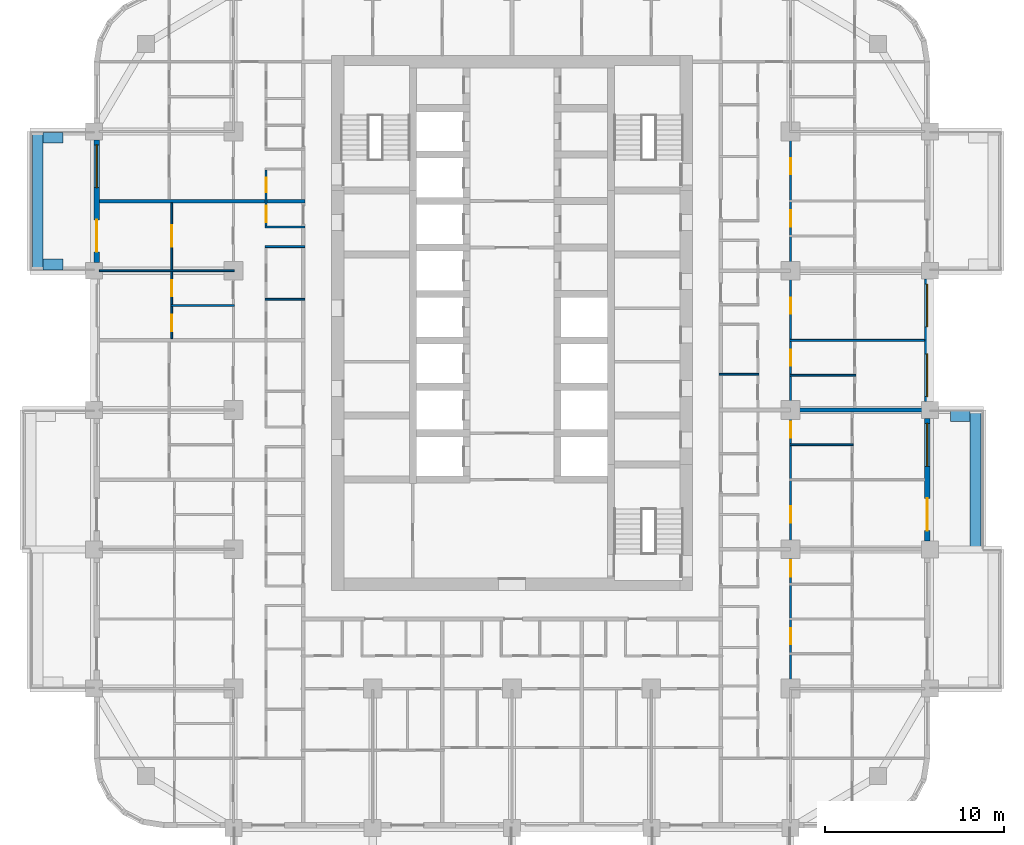
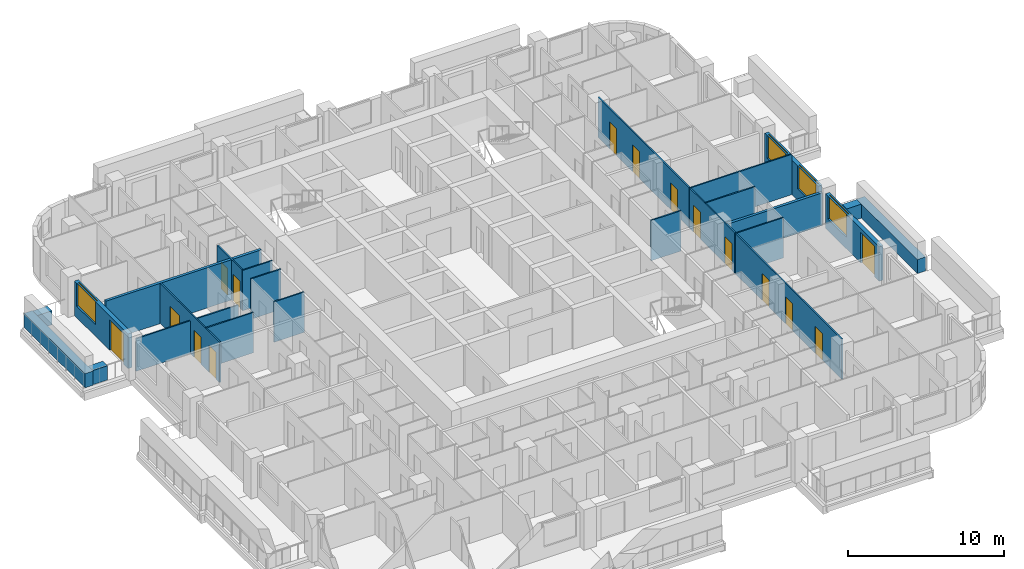
# One storey, part 9 of 18: 22 walls, 15 doors, 4 windows, 19 openings.
"""IFC4 building model written with IfcOpenShell, lengths in metres."""

import ifcopenshell
import ifcopenshell.guid

model = None  # the IFC model being written
_history = None  # IfcOwnerHistory: only IFC2X3 demands one
_inside = {}  # id of a spatial element -> (the spatial element, [elements in it])
_under = {}  # id of a project, library or spatial element -> (it, [spatial elements below it])
_declared = {}  # id of a project -> (the project, [libraries it declares])
_typed = {}  # id of a type object -> (the type object, [elements of that type])
_made_of = {}  # id of a material, layer set ... -> (it, [elements and type objects made of it])


def new_model(schema):
    """Start an empty IFC model of exactly this schema.

    Asked for "IFC4X3", IfcOpenShell would pick the latest addendum, in which some entities
    have other attributes; the version numbers below select the first issue.
    IFC2X3 requires an IfcOwnerHistory on every rooted entity: one is made here for all.
    """
    global model, _history
    if schema == "IFC4X3":
        model = ifcopenshell.file(schema_version=(4, 3, 0, 0))
    else:
        model = ifcopenshell.file(schema=schema)
    _inside.clear()
    _under.clear()
    _declared.clear()
    _typed.clear()
    _made_of.clear()
    _history = None
    if model.schema == "IFC2X3":
        org = make("IfcOrganization", Name="unknown")
        user = make(
            "IfcPersonAndOrganization",
            ThePerson=make("IfcPerson", FamilyName="unknown"),
            TheOrganization=org,
        )
        app = make(
            "IfcApplication",
            ApplicationDeveloper=org,
            Version="unknown",
            ApplicationFullName="unknown",
            ApplicationIdentifier="unknown",
        )
        _history = make(
            "IfcOwnerHistory",
            OwningUser=user,
            OwningApplication=app,
            ChangeAction="ADDED",
            CreationDate=0,
        )
    return model


def make(cls, **values):
    """One entity of the class cls with the attributes given. An attribute that is None is left unset."""
    return model.create_entity(
        cls, **{name: value for name, value in values.items() if value is not None}
    )


def rooted(cls, **values):
    """An entity with a GlobalId (a new one), such as an element, a storey or a relation."""
    return make(cls, GlobalId=ifcopenshell.guid.new(), OwnerHistory=_history, **values)


def si_unit(unit_type, name, prefix=None):
    """IfcSIUnit, for example si_unit("LENGTHUNIT", "METRE", prefix="MILLI")."""
    return make("IfcSIUnit", UnitType=unit_type, Prefix=prefix, Name=name)


def assignment(units):
    """IfcUnitAssignment: the units of a project."""
    return None if units is None else make("IfcUnitAssignment", Units=units)


def point(xyz):
    """IfcCartesianPoint."""
    return None if xyz is None else make("IfcCartesianPoint", Coordinates=xyz)


def direction(xyz):
    """IfcDirection."""
    return None if xyz is None else make("IfcDirection", DirectionRatios=xyz)


def frame(location, z_axis=None, x_axis=None):
    """IfcAxis2Placement3D, a coordinate frame: its origin and axes. An axis left out is left unset."""
    return make(
        "IfcAxis2Placement3D",
        Location=point(location),
        Axis=direction(z_axis),
        RefDirection=direction(x_axis),
    )


def frame_2d(location, x_axis=None):
    """IfcAxis2Placement2D, a coordinate frame in the plane: its origin and x axis."""
    return make(
        "IfcAxis2Placement2D", Location=point(location), RefDirection=direction(x_axis)
    )


def origin():
    """The frame at (0, 0, 0) with its axes left unset."""
    return frame((0.0, 0.0, 0.0))


def place(relative_to, where):
    """IfcLocalPlacement: puts the frame where relative to a parent placement (None: the world)."""
    return make(
        "IfcLocalPlacement", PlacementRelTo=relative_to, RelativePlacement=where
    )


def context(
    kind, dimensions, precision=None, world=None, true_north=None, identifier=None
):
    """IfcGeometricRepresentationContext, for example the 3D "Model" context."""
    return make(
        "IfcGeometricRepresentationContext",
        ContextIdentifier=identifier,
        ContextType=kind,
        CoordinateSpaceDimension=dimensions,
        Precision=precision,
        WorldCoordinateSystem=world,
        TrueNorth=true_north,
    )


def subcontext(parent, identifier, kind, view, scale=None):
    """IfcGeometricRepresentationSubContext, for example "Body" below "Model"."""
    return make(
        "IfcGeometricRepresentationSubContext",
        ContextIdentifier=identifier,
        ContextType=kind,
        ParentContext=parent,
        TargetScale=scale,
        TargetView=view,
    )


def project(units=None, contexts=None):
    """IfcProject with its units and contexts."""
    return rooted(
        "IfcProject",
        Name="project",
        RepresentationContexts=contexts,
        UnitsInContext=assignment(units),
    )


def spatial(cls, under=None, at=None, **own):
    """A site, building, storey or space (cls), placed at a placement, below another one or the project."""
    s = rooted(cls, ObjectPlacement=at, **own)
    if under is not None:
        _under.setdefault(under.id(), (under, []))[1].append(s)
    return s


def profile(cls, at=None, kind="AREA", **sizes):
    """A parametric profile (cls). Its sizes go by their IFC names, for example OverallWidth=200.0."""
    return make(cls, ProfileType=kind, Position=at, **sizes)


def rectangle(**sizes):
    """IfcRectangleProfileDef."""
    return profile("IfcRectangleProfileDef", **sizes)


def extrude(swept, where, along, depth):
    """IfcExtrudedAreaSolid: the profile swept, set in the frame where, extruded along a direction by depth."""
    return make(
        "IfcExtrudedAreaSolid",
        SweptArea=swept,
        Position=where,
        ExtrudedDirection=direction(along),
        Depth=depth,
    )


def shape(context_of_items, identifier, shape_type, items):
    """IfcShapeRepresentation: the items that make up one representation, for example the "Body"."""
    return make(
        "IfcShapeRepresentation",
        ContextOfItems=context_of_items,
        RepresentationIdentifier=identifier,
        RepresentationType=shape_type,
        Items=items,
    )


def material(Name=None, Category=None):
    """IfcMaterial."""
    return make("IfcMaterial", Name=Name, Category=Category)


def layer(
    of_material, thickness, ventilated=None, Name=None, Category=None, Priority=None
):
    """IfcMaterialLayer: one layer of a wall or slab, of a material (None: an air gap)."""
    return make(
        "IfcMaterialLayer",
        Material=of_material,
        LayerThickness=thickness,
        IsVentilated=ventilated,
        Name=Name,
        Category=Category,
        Priority=Priority,
    )


def layer_set(layers, Name=None):
    """IfcMaterialLayerSet."""
    return make("IfcMaterialLayerSet", MaterialLayers=layers, LayerSetName=Name)


def made_of(thing, what):
    """Note that an element or type object is made of a material, layer set ...; save() writes the relation."""
    if what is not None:
        _made_of.setdefault(what.id(), (what, []))[1].append(thing)
    return thing


def type_object(cls, material=None, **own):
    """A type object (cls), such as IfcWallType, which elements share."""
    return made_of(rooted(cls, **own), material)


def element(
    cls,
    number,
    at=None,
    inside=None,
    cuts=None,
    type_object=None,
    material=None,
    context=None,
    identifier="Body",
    shape_type=None,
    held_by="IfcProductDefinitionShape",
    body=None,
    shapes=None,
    **own,
):
    """One element of the class cls, such as IfcWall. Its Tag is "e" and its number.

    at: its placement. inside: the storey or other place that contains it. cuts: it is an
    opening in that element (IfcRelVoidsElement). A single representation is given by context,
    identifier, shape_type and body (its items); several are given by shapes. held_by: the class
    of the entity that holds the representations. save() writes the other relations.
    """
    e = rooted(cls, Tag="e%d" % number, ObjectPlacement=at, **own)
    if body is not None:
        shapes = [shape(context, identifier, shape_type, body)]
    if shapes is not None:
        e.Representation = make(held_by, Representations=shapes)
    if inside is not None:
        _inside.setdefault(inside.id(), (inside, []))[1].append(e)
    if cuts is not None:
        rooted(
            "IfcRelVoidsElement", RelatingBuildingElement=cuts, RelatedOpeningElement=e
        )
    if type_object is not None:
        _typed.setdefault(type_object.id(), (type_object, []))[1].append(e)
    return made_of(e, material)


def fill(opening, filler):
    """IfcRelFillsElement: the door or window that sits in an opening."""
    return rooted(
        "IfcRelFillsElement",
        RelatingOpeningElement=opening,
        RelatedBuildingElement=filler,
    )


def aggregate(whole, parts):
    """IfcRelAggregates: a whole, such as a stair, and the parts it consists of."""
    return rooted("IfcRelAggregates", RelatingObject=whole, RelatedObjects=parts)


def save(model, path):
    """Write the relations noted so far, then the file.

    IfcRelAggregates (storeys below a building ...), IfcRelContainedInSpatialStructure (elements
    in a storey), IfcRelDefinesByType, IfcRelAssociatesMaterial and IfcRelDeclares: one each for
    every whole, place, type object, material and project.
    """
    for whole, parts in _under.values():
        aggregate(whole, parts)
    for where, things in _inside.values():
        rooted(
            "IfcRelContainedInSpatialStructure",
            RelatedElements=things,
            RelatingStructure=where,
        )
    for kind, things in _typed.values():
        rooted("IfcRelDefinesByType", RelatedObjects=things, RelatingType=kind)
    for what, things in _made_of.values():
        rooted("IfcRelAssociatesMaterial", RelatedObjects=things, RelatingMaterial=what)
    for by, libraries in _declared.values():
        rooted("IfcRelDeclares", RelatingContext=by, RelatedDefinitions=libraries)
    model.write(path)


model = new_model("IFC4")

# Units and contexts
model_context = context("Model", 3, precision=1e-05, world=origin(), true_north=direction((0.0, 1.0)))
body_context = subcontext(model_context, "Body", "Model", "MODEL_VIEW")
ifc_project = project(units=[si_unit("LENGTHUNIT", "METRE"), si_unit("AREAUNIT", "SQUARE_METRE"), si_unit("VOLUMEUNIT", "CUBIC_METRE"), si_unit("PLANEANGLEUNIT", "RADIAN"), si_unit("MASSUNIT", "GRAM", prefix="KILO")], contexts=[model_context])

# Site, building, storey
site_placement = place(None, origin())
site = spatial("IfcSite", under=ifc_project, at=site_placement, CompositionType="ELEMENT")
building_placement = place(site_placement, origin())
building = spatial("IfcBuilding", under=site, at=building_placement, Name="Ludao Terraces", CompositionType="ELEMENT")
storey_placement = place(building_placement, frame((0.0, 0.0, 64.800048828125)))
storey = spatial("IfcBuildingStorey", under=building, at=storey_placement, Name="L17", CompositionType="ELEMENT", Elevation=64.800048828125)

# Walls
ifc_material_1 = material(Name="Concrete C40", Category="concrete")
ifc_layer_1 = layer(ifc_material_1, 0.60009765625)
ifc_layer_set_1 = layer_set([ifc_layer_1], Name="ENV Planter trough 600")
wall_type_1 = type_object("IfcWallType", Name="ENV Planter trough 600", PredefinedType="USERDEFINED", material=ifc_layer_set_1)
wall_1_placement = place(storey_placement, frame((110.949951171875, 57.199951171875, 0.0), z_axis=(0.0, 0.0, 1.0), x_axis=(0.0, 1.0, 0.0)))
element("IfcWall", 1, at=wall_1_placement, inside=storey, type_object=wall_type_1, Name="PL-L17-E2", ObjectType="PLANTER", PredefinedType="USERDEFINED", context=body_context, shape_type="SweptSolid", body=[
    extrude(rectangle(XDim=7.800048828125, YDim=0.60009765625, at=frame_2d((3.89990234375, 0.0))), origin(), (0.0, 0.0, 1.0), 1.099853515625),
])
wall_2_placement = place(storey_placement, frame((110.64990234375, 64.64990234375, 0.0), z_axis=(0.0, 0.0, 1.0), x_axis=(-1.0, 0.0, 0.0)))
element("IfcWall", 2, at=wall_2_placement, inside=storey, type_object=wall_type_1, Name="PL-L17-E2-SB", ObjectType="PLANTER", PredefinedType="USERDEFINED", context=body_context, shape_type="SweptSolid", body=[
    extrude(rectangle(XDim=1.099853515625, YDim=0.60009765625, at=frame_2d((0.5498046875, 0.0))), origin(), (0.0, 0.0, 1.0), 1.099853515625),
])
wall_3_placement = place(storey_placement, frame((58.449951171875, 72.800048828125, 0.0), z_axis=(0.0, 0.0, 1.0), x_axis=(0.0, 1.0, 0.0)))
element("IfcWall", 3, at=wall_3_placement, inside=storey, type_object=wall_type_1, Name="PL-L17-W4", ObjectType="PLANTER", PredefinedType="USERDEFINED", context=body_context, shape_type="SweptSolid", body=[
    extrude(rectangle(XDim=7.800048828125, YDim=0.60009765625, at=frame_2d((3.89990234375, 0.0))), origin(), (0.0, 0.0, 1.0), 1.099853515625),
])
for number, where, z_axis, x_axis, name in (
    (4, (58.75, 73.14990234375, 0.0), (0.0, 0.0, 1.0), (1.0, 0.0, 0.0), "PL-L17-W4-SA"),
    (5, (58.75, 80.25, 0.0), (0.0, 0.0, 1.0), (1.0, 0.0, 0.0), "PL-L17-W4-SB"),
):
    element("IfcWall", number, at=place(storey_placement, frame(where, z_axis=z_axis, x_axis=x_axis)), inside=storey, type_object=wall_type_1, Name=name, ObjectType="PLANTER", PredefinedType="USERDEFINED", context=body_context, shape_type="SweptSolid", body=[
        extrude(rectangle(XDim=1.10009765625, YDim=0.60009765625, at=frame_2d((0.550048828125, 0.0))), origin(), (0.0, 0.0, 1.0), 1.099853515625),
    ])

# Wall, openings, door, window
ifc_material_2 = material(Name="Granite cladding", Category="masonry")
ifc_layer_2 = layer(ifc_material_2, 0.0400390625, Category="stone")
ifc_material_3 = material(Name="Mineral wool")
ifc_layer_3 = layer(ifc_material_3, 0.06005859375)
ifc_layer_4 = layer(ifc_material_1, 0.199951171875, Category="concrete")
ifc_layer_set_2 = layer_set([ifc_layer_2, ifc_layer_3, ifc_layer_4], Name="ENV Stone-clad wall 300")
wall_type_2 = type_object("IfcWallType", Name="ENV Stone-clad wall 300", PredefinedType="SOLIDWALL", material=ifc_layer_set_2)
wall_4_placement = place(storey_placement, frame((108.25, 57.675048828125, 0.0), z_axis=(0.0, 0.0, 1.0), x_axis=(0.0, 1.0, 0.0)))
wall_4 = element("IfcWall", 6, at=wall_4_placement, inside=storey, type_object=wall_type_2, Name="EW-L17-E3", PredefinedType="SOLIDWALL", context=body_context, shape_type="SweptSolid", body=[
    extrude(rectangle(XDim=6.849853515625, YDim=0.300048828125, at=frame_2d((3.4248046875, 0.0))), origin(), (0.0, 0.0, 1.0), 2.699951171875),
])
opening_1_placement = place(wall_4_placement, frame((0.574951171875, 0.0, 0.0)))
opening_1 = element("IfcOpeningElement", 7, at=opening_1_placement, cuts=wall_4, Name="Opening BD", PredefinedType="OPENING", context=body_context, shape_type="SweptSolid", body=[
    extrude(rectangle(XDim=1.800048828125, YDim=2.39990234375, at=frame_2d((0.89990234375, 1.199951171875))), frame((0.0, 0.16015625, 0.0), z_axis=(0.0, -1.0, 0.0), x_axis=(1.0, 0.0, 0.0)), (0.0, 0.0, 1.0), 0.320068359375),
])
opening_2_placement = place(wall_4_placement, frame((4.175048828125, 0.0, 0.89990234375)))
opening_2 = element("IfcOpeningElement", 8, at=opening_2_placement, cuts=wall_4, Name="Opening W1", PredefinedType="OPENING", context=body_context, shape_type="SweptSolid", body=[
    extrude(rectangle(XDim=2.39990234375, YDim=1.800048828125, at=frame_2d((1.199951171875, 0.89990234375))), frame((0.0, 0.16015625, 0.0), z_axis=(0.0, -1.0, 0.0), x_axis=(1.0, 0.0, 0.0)), (0.0, 0.0, 1.0), 0.320068359375),
])
ifc_material_4 = material(Name="Aluminium glazed door", Category="aluminium")
ifc_layer_5 = layer(ifc_material_4, 0.06005859375)
ifc_layer_set_3 = layer_set([ifc_layer_5], Name="ENV Balcony door BD 1800x2400")
door_type_1 = type_object("IfcDoorType", Name="ENV Balcony door BD 1800x2400", OperationType="DOUBLE_DOOR_SINGLE_SWING", PredefinedType="DOOR", material=ifc_layer_set_3)
door_1_placement = place(opening_1_placement, origin())
door_1 = element("IfcDoor", 9, at=door_1_placement, inside=storey, type_object=door_type_1, Name="BD-L17-E3-1", OperationType="DOUBLE_DOOR_SINGLE_SWING", OverallHeight=2.39990234375, OverallWidth=1.800048828125, PredefinedType="DOOR", context=body_context, shape_type="SweptSolid", body=[
    extrude(rectangle(XDim=1.800048828125, YDim=2.39990234375, at=frame_2d((0.89990234375, 1.199951171875))), frame((0.0, 0.02490234375, 0.0), z_axis=(0.0, -1.0, 0.0), x_axis=(1.0, 0.0, 0.0)), (0.0, 0.0, 1.0), 0.050048828125),
])
fill(opening_1, door_1)
ifc_material_5 = material(Name="Clear glass in aluminium frame", Category="aluminium")
ifc_layer_6 = layer(ifc_material_5, 0.06005859375)
ifc_layer_set_4 = layer_set([ifc_layer_6], Name="ENV Window W1 2400x1800")
window_type = type_object("IfcWindowType", Name="ENV Window W1 2400x1800", PartitioningType="DOUBLE_PANEL_VERTICAL", PredefinedType="WINDOW", material=ifc_layer_set_4)
window_1_placement = place(opening_2_placement, origin())
window_1 = element("IfcWindow", 10, at=window_1_placement, inside=storey, type_object=window_type, Name="W-L17-E3-2", OverallHeight=1.800048828125, OverallWidth=2.39990234375, PartitioningType="DOUBLE_PANEL_VERTICAL", PredefinedType="WINDOW", context=body_context, shape_type="SweptSolid", body=[
    extrude(rectangle(XDim=2.39990234375, YDim=1.800048828125, at=frame_2d((1.199951171875, 0.89990234375))), frame((0.0, 0.030029296875, 0.0), z_axis=(0.0, -1.0, 0.0), x_axis=(1.0, 0.0, 0.0)), (0.0, 0.0, 1.0), 0.06005859375),
])
fill(opening_2, window_1)

# Wall, openings, windows
wall_5_placement = place(storey_placement, frame((108.25, 65.47509765625, 0.0), z_axis=(0.0, 0.0, 1.0), x_axis=(0.0, 1.0, 0.0)))
wall_5 = element("IfcWall", 11, at=wall_5_placement, inside=storey, type_object=wall_type_2, Name="EW-L17-E4", PredefinedType="SOLIDWALL", context=body_context, shape_type="SweptSolid", body=[
    extrude(rectangle(XDim=6.849853515625, YDim=0.300048828125, at=frame_2d((3.4248046875, 0.0))), origin(), (0.0, 0.0, 1.0), 2.699951171875),
])
opening_3_placement = place(wall_5_placement, frame((0.27490234375, 0.0, 0.89990234375)))
opening_3 = element("IfcOpeningElement", 12, at=opening_3_placement, cuts=wall_5, Name="Opening W1", PredefinedType="OPENING", context=body_context, shape_type="SweptSolid", body=[
    extrude(rectangle(XDim=2.39990234375, YDim=1.800048828125, at=frame_2d((1.199951171875, 0.89990234375))), frame((0.0, 0.16015625, 0.0), z_axis=(0.0, -1.0, 0.0), x_axis=(1.0, 0.0, 0.0)), (0.0, 0.0, 1.0), 0.320068359375),
])
opening_4_placement = place(wall_5_placement, frame((4.175048828125, 0.0, 0.89990234375)))
opening_4 = element("IfcOpeningElement", 13, at=opening_4_placement, cuts=wall_5, Name="Opening W1", PredefinedType="OPENING", context=body_context, shape_type="SweptSolid", body=[
    extrude(rectangle(XDim=2.39990234375, YDim=1.800048828125, at=frame_2d((1.199951171875, 0.89990234375))), frame((0.0, 0.16015625, 0.0), z_axis=(0.0, -1.0, 0.0), x_axis=(1.0, 0.0, 0.0)), (0.0, 0.0, 1.0), 0.320068359375),
])
window_2_placement = place(opening_3_placement, origin())
window_2 = element("IfcWindow", 14, at=window_2_placement, inside=storey, type_object=window_type, Name="W-L17-E4-1", OverallHeight=1.800048828125, OverallWidth=2.39990234375, PartitioningType="DOUBLE_PANEL_VERTICAL", PredefinedType="WINDOW", context=body_context, shape_type="SweptSolid", body=[
    extrude(rectangle(XDim=2.39990234375, YDim=1.800048828125, at=frame_2d((1.199951171875, 0.89990234375))), frame((0.0, 0.030029296875, 0.0), z_axis=(0.0, -1.0, 0.0), x_axis=(1.0, 0.0, 0.0)), (0.0, 0.0, 1.0), 0.06005859375),
])
fill(opening_3, window_2)
window_3_placement = place(opening_4_placement, origin())
window_3 = element("IfcWindow", 15, at=window_3_placement, inside=storey, type_object=window_type, Name="W-L17-E4-2", OverallHeight=1.800048828125, OverallWidth=2.39990234375, PartitioningType="DOUBLE_PANEL_VERTICAL", PredefinedType="WINDOW", context=body_context, shape_type="SweptSolid", body=[
    extrude(rectangle(XDim=2.39990234375, YDim=1.800048828125, at=frame_2d((1.199951171875, 0.89990234375))), frame((0.0, 0.030029296875, 0.0), z_axis=(0.0, -1.0, 0.0), x_axis=(1.0, 0.0, 0.0)), (0.0, 0.0, 1.0), 0.06005859375),
])
fill(opening_4, window_3)

# Wall, openings, door, window
wall_6_placement = place(storey_placement, frame((61.75, 73.27490234375, 0.0), z_axis=(0.0, 0.0, 1.0), x_axis=(0.0, 1.0, 0.0)))
wall_6 = element("IfcWall", 16, at=wall_6_placement, inside=storey, type_object=wall_type_2, Name="EW-L17-W5", PredefinedType="SOLIDWALL", context=body_context, shape_type="SweptSolid", body=[
    extrude(rectangle(XDim=6.85009765625, YDim=0.300048828125, at=frame_2d((3.425048828125, 0.0))), origin(), (0.0, 0.0, 1.0), 2.699951171875),
])
opening_5_placement = place(wall_6_placement, frame((0.574951171875, 0.0, 0.0)))
opening_5 = element("IfcOpeningElement", 17, at=opening_5_placement, cuts=wall_6, Name="Opening BD", PredefinedType="OPENING", context=body_context, shape_type="SweptSolid", body=[
    extrude(rectangle(XDim=1.800048828125, YDim=2.39990234375, at=frame_2d((0.89990234375, 1.199951171875))), frame((0.0, 0.16015625, 0.0), z_axis=(0.0, -1.0, 0.0), x_axis=(1.0, 0.0, 0.0)), (0.0, 0.0, 1.0), 0.320068359375),
])
opening_6_placement = place(wall_6_placement, frame((4.175048828125, 0.0, 0.89990234375)))
opening_6 = element("IfcOpeningElement", 18, at=opening_6_placement, cuts=wall_6, Name="Opening W1", PredefinedType="OPENING", context=body_context, shape_type="SweptSolid", body=[
    extrude(rectangle(XDim=2.39990234375, YDim=1.800048828125, at=frame_2d((1.199951171875, 0.89990234375))), frame((0.0, 0.16015625, 0.0), z_axis=(0.0, -1.0, 0.0), x_axis=(1.0, 0.0, 0.0)), (0.0, 0.0, 1.0), 0.320068359375),
])
door_2_placement = place(opening_5_placement, origin())
door_2 = element("IfcDoor", 19, at=door_2_placement, inside=storey, type_object=door_type_1, Name="BD-L17-W5-1", OperationType="DOUBLE_DOOR_SINGLE_SWING", OverallHeight=2.39990234375, OverallWidth=1.800048828125, PredefinedType="DOOR", context=body_context, shape_type="SweptSolid", body=[
    extrude(rectangle(XDim=1.800048828125, YDim=2.39990234375, at=frame_2d((0.89990234375, 1.199951171875))), frame((0.0, 0.02490234375, 0.0), z_axis=(0.0, -1.0, 0.0), x_axis=(1.0, 0.0, 0.0)), (0.0, 0.0, 1.0), 0.050048828125),
])
fill(opening_5, door_2)
window_4_placement = place(opening_6_placement, origin())
window_4 = element("IfcWindow", 20, at=window_4_placement, inside=storey, type_object=window_type, Name="W-L17-W5-2", OverallHeight=1.800048828125, OverallWidth=2.39990234375, PartitioningType="DOUBLE_PANEL_VERTICAL", PredefinedType="WINDOW", context=body_context, shape_type="SweptSolid", body=[
    extrude(rectangle(XDim=2.39990234375, YDim=1.800048828125, at=frame_2d((1.199951171875, 0.89990234375))), frame((0.0, 0.030029296875, 0.0), z_axis=(0.0, -1.0, 0.0), x_axis=(1.0, 0.0, 0.0)), (0.0, 0.0, 1.0), 0.06005859375),
])
fill(opening_6, window_4)

# Walls
ifc_material_6 = material(Name="Gypsum plasterboard", Category="gypsum")
ifc_layer_7 = layer(ifc_material_6, 0.012451171875, Category="gypsum")
ifc_layer_8 = layer(ifc_material_3, 0.06005859375, Name="insulation")
ifc_material_7 = material(Name="Steel Q235", Category="steel")
ifc_layer_9 = layer(ifc_material_7, 0.014892578125, Name="stud")
ifc_layer_10 = layer(ifc_material_6, 0.012451171875, Category="gypsum")
ifc_layer_set_5 = layer_set([ifc_layer_7, ifc_layer_8, ifc_layer_9, ifc_layer_10], Name="INT Partition 100")
wall_type_3 = type_object("IfcWallType", Name="INT Partition 100", PredefinedType="PARTITIONING", material=ifc_layer_set_5)
wall_7_placement = place(storey_placement, frame((100.550048828125, 63.050048828125, 0.0), z_axis=(0.0, 0.0, 1.0), x_axis=(1.0, 0.0, 0.0)))
element("IfcWall", 21, at=wall_7_placement, inside=storey, type_object=wall_type_3, Name="PW-L17-PW039", PredefinedType="PARTITIONING", context=body_context, shape_type="SweptSolid", body=[
    extrude(rectangle(XDim=3.550048828125, YDim=0.10009765625, at=frame_2d((1.77490234375, 0.0))), origin(), (0.0, 0.0, 1.0), 3.14990234375),
])
wall_8_placement = place(storey_placement, frame((100.550048828125, 66.949951171875, 0.0), z_axis=(0.0, 0.0, 1.0), x_axis=(1.0, 0.0, 0.0)))
element("IfcWall", 22, at=wall_8_placement, inside=storey, type_object=wall_type_3, Name="PW-L17-PW045", PredefinedType="PARTITIONING", context=body_context, shape_type="SweptSolid", body=[
    extrude(rectangle(XDim=3.699951171875, YDim=0.10009765625, at=frame_2d((1.85009765625, 0.0))), origin(), (0.0, 0.0, 1.0), 3.14990234375),
])
wall_9_placement = place(storey_placement, frame((96.60009765625, 67.0, 0.0), z_axis=(0.0, 0.0, 1.0), x_axis=(1.0, 0.0, 0.0)))
element("IfcWall", 23, at=wall_9_placement, inside=storey, type_object=wall_type_3, Name="PW-L17-PW046", PredefinedType="PARTITIONING", context=body_context, shape_type="SweptSolid", body=[
    extrude(rectangle(XDim=2.219970703125, YDim=0.10009765625, at=frame_2d((1.10986328125, 0.0))), origin(), (0.0, 0.0, 1.0), 3.14990234375),
])
wall_10_placement = place(storey_placement, frame((100.550048828125, 68.89990234375, 0.0), z_axis=(0.0, 0.0, 1.0), x_axis=(1.0, 0.0, 0.0)))
element("IfcWall", 24, at=wall_10_placement, inside=storey, type_object=wall_type_3, Name="PW-L17-PW050", PredefinedType="PARTITIONING", context=body_context, shape_type="SweptSolid", body=[
    extrude(rectangle(XDim=7.550048828125, YDim=0.10009765625, at=frame_2d((3.77490234375, 0.0))), origin(), (0.0, 0.0, 1.0), 3.14990234375),
])
wall_11_placement = place(storey_placement, frame((65.900146484375, 70.85009765625, 0.0), z_axis=(0.0, 0.0, 1.0), x_axis=(1.0, 0.0, 0.0)))
element("IfcWall", 25, at=wall_11_placement, inside=storey, type_object=wall_type_3, Name="PW-L17-PW053", PredefinedType="PARTITIONING", context=body_context, shape_type="SweptSolid", body=[
    extrude(rectangle(XDim=3.550048828125, YDim=0.10009765625, at=frame_2d((1.77490234375, 0.0))), origin(), (0.0, 0.0, 1.0), 3.14990234375),
])
wall_12_placement = place(storey_placement, frame((71.18017578125, 71.199951171875, 0.0), z_axis=(0.0, 0.0, 1.0), x_axis=(1.0, 0.0, 0.0)))
element("IfcWall", 26, at=wall_12_placement, inside=storey, type_object=wall_type_3, Name="PW-L17-PW055", PredefinedType="PARTITIONING", context=body_context, shape_type="SweptSolid", body=[
    extrude(rectangle(XDim=2.219970703125, YDim=0.10009765625, at=frame_2d((1.10986328125, 0.0))), origin(), (0.0, 0.0, 1.0), 3.14990234375),
])
wall_13_placement = place(storey_placement, frame((61.900146484375, 72.800048828125, 0.0), z_axis=(0.0, 0.0, 1.0), x_axis=(1.0, 0.0, 0.0)))
element("IfcWall", 27, at=wall_13_placement, inside=storey, type_object=wall_type_3, Name="PW-L17-PW056", PredefinedType="PARTITIONING", context=body_context, shape_type="SweptSolid", body=[
    extrude(rectangle(XDim=7.550048828125, YDim=0.10009765625, at=frame_2d((3.77490234375, 0.0))), origin(), (0.0, 0.0, 1.0), 2.5498046875),
])
for number, where, z_axis, x_axis, name in (
    (28, (71.18017578125, 74.14990234375, 0.0), (0.0, 0.0, 1.0), (1.0, 0.0, 0.0), "PW-L17-PW059"),
    (29, (71.18017578125, 75.25, 0.0), (0.0, 0.0, 1.0), (1.0, 0.0, 0.0), "PW-L17-PW062"),
):
    element("IfcWall", number, at=place(storey_placement, frame(where, z_axis=z_axis, x_axis=x_axis)), inside=storey, type_object=wall_type_3, Name=name, PredefinedType="PARTITIONING", context=body_context, shape_type="SweptSolid", body=[
        extrude(rectangle(XDim=2.219970703125, YDim=0.10009765625, at=frame_2d((1.10986328125, 0.0))), origin(), (0.0, 0.0, 1.0), 3.14990234375),
    ])

# Wall, openings, doors
wall_14_placement = place(storey_placement, frame((65.949951171875, 69.0, 0.0), z_axis=(0.0, 0.0, 1.0), x_axis=(0.0, 1.0, 0.0)))
wall_14 = element("IfcWall", 30, at=wall_14_placement, inside=storey, type_object=wall_type_3, Name="PW-L17-PW083", PredefinedType="PARTITIONING", context=body_context, shape_type="SweptSolid", body=[
    extrude(rectangle(XDim=7.60009765625, YDim=0.10009765625, at=frame_2d((3.800048828125, 0.0))), origin(), (0.0, 0.0, 1.0), 3.14990234375),
])
opening_7_placement = place(wall_14_placement, frame((0.425048828125, 0.0, 0.0)))
opening_7 = element("IfcOpeningElement", 31, at=opening_7_placement, cuts=wall_14, Name="Opening R05-102", PredefinedType="OPENING", context=body_context, shape_type="SweptSolid", body=[
    extrude(rectangle(XDim=0.89990234375, YDim=2.10009765625, at=frame_2d((0.449951171875, 1.050048828125))), frame((0.0, 0.06005859375, 0.0), z_axis=(0.0, -1.0, 0.0), x_axis=(1.0, 0.0, 0.0)), (0.0, 0.0, 1.0), 0.1201171875),
])
opening_8_placement = place(wall_14_placement, frame((2.375, 0.0, 0.0)))
opening_8 = element("IfcOpeningElement", 32, at=opening_8_placement, cuts=wall_14, Name="Opening R05-110", PredefinedType="OPENING", context=body_context, shape_type="SweptSolid", body=[
    extrude(rectangle(XDim=0.89990234375, YDim=2.10009765625, at=frame_2d((0.449951171875, 1.050048828125))), frame((0.0, 0.06005859375, 0.0), z_axis=(0.0, -1.0, 0.0), x_axis=(1.0, 0.0, 0.0)), (0.0, 0.0, 1.0), 0.1201171875),
])
opening_9_placement = place(wall_14_placement, frame((5.150146484375, 0.0, 0.0)))
opening_9 = element("IfcOpeningElement", 33, at=opening_9_placement, cuts=wall_14, Name="Opening R05-119", PredefinedType="OPENING", context=body_context, shape_type="SweptSolid", body=[
    extrude(rectangle(XDim=1.199951171875, YDim=2.10009765625, at=frame_2d((0.60009765625, 1.050048828125))), frame((0.0, 0.06005859375, 0.0), z_axis=(0.0, -1.0, 0.0), x_axis=(1.0, 0.0, 0.0)), (0.0, 0.0, 1.0), 0.1201171875),
])
ifc_material_8 = material(Name="Timber door leaf", Category="wood")
door_type_2 = type_object("IfcDoorType", Name="INT Bathroom door 900", OperationType="SINGLE_SWING_LEFT", PredefinedType="DOOR", material=ifc_material_8)
door_3_placement = place(opening_7_placement, origin())
door_3 = element("IfcDoor", 34, at=door_3_placement, inside=storey, type_object=door_type_2, Name="DOOR 102", OperationType="SINGLE_SWING_RIGHT", OverallHeight=2.10009765625, OverallWidth=0.89990234375, PredefinedType="DOOR", context=body_context, shape_type="SweptSolid", body=[
    extrude(rectangle(XDim=0.89990234375, YDim=2.10009765625, at=frame_2d((0.449951171875, 1.050048828125))), frame((0.0, 0.02490234375, 0.0), z_axis=(0.0, -1.0, 0.0), x_axis=(1.0, 0.0, 0.0)), (0.0, 0.0, 1.0), 0.050048828125),
])
fill(opening_7, door_3)
door_type_3 = type_object("IfcDoorType", Name="INT Double door 1200", OperationType="DOUBLE_DOOR_SINGLE_SWING", PredefinedType="DOOR", material=ifc_material_8)
door_4_placement = place(opening_9_placement, origin())
door_4 = element("IfcDoor", 35, at=door_4_placement, inside=storey, type_object=door_type_3, Name="DOOR 119", OperationType="DOUBLE_DOOR_SINGLE_SWING", OverallHeight=2.10009765625, OverallWidth=1.199951171875, PredefinedType="DOOR", context=body_context, shape_type="SweptSolid", body=[
    extrude(rectangle(XDim=1.199951171875, YDim=2.10009765625, at=frame_2d((0.60009765625, 1.050048828125))), frame((0.0, 0.02490234375, 0.0), z_axis=(0.0, -1.0, 0.0), x_axis=(1.0, 0.0, 0.0)), (0.0, 0.0, 1.0), 0.050048828125),
])
fill(opening_9, door_4)
door_type_4 = type_object("IfcDoorType", Name="INT Room door 900", OperationType="SINGLE_SWING_LEFT", PredefinedType="DOOR", material=ifc_material_8)
door_5_placement = place(opening_8_placement, origin())
door_5 = element("IfcDoor", 36, at=door_5_placement, inside=storey, type_object=door_type_4, Name="DOOR 110", OperationType="SINGLE_SWING_RIGHT", OverallHeight=2.10009765625, OverallWidth=0.89990234375, PredefinedType="DOOR", context=body_context, shape_type="SweptSolid", body=[
    extrude(rectangle(XDim=0.89990234375, YDim=2.10009765625, at=frame_2d((0.449951171875, 1.050048828125))), frame((0.0, 0.02490234375, 0.0), z_axis=(0.0, -1.0, 0.0), x_axis=(1.0, 0.0, 0.0)), (0.0, 0.0, 1.0), 0.050048828125),
])
fill(opening_8, door_5)

wall_15_placement = place(storey_placement, frame((71.22998046875, 75.300048828125, 0.0), z_axis=(0.0, 0.0, 1.0), x_axis=(0.0, 1.0, 0.0)))
wall_15 = element("IfcWall", 37, at=wall_15_placement, inside=storey, type_object=wall_type_3, Name="PW-L17-PW089", PredefinedType="PARTITIONING", context=body_context, shape_type="SweptSolid", body=[
    extrude(rectangle(XDim=3.150146484375, YDim=0.10009765625, at=frame_2d((1.5751953125, 0.0))), origin(), (0.0, 0.0, 1.0), 3.14990234375),
])
opening_10_placement = place(wall_15_placement, frame((0.22509765625, 0.0, 0.0)))
opening_10 = element("IfcOpeningElement", 38, at=opening_10_placement, cuts=wall_15, Name="Opening R05-128", PredefinedType="OPENING", context=body_context, shape_type="SweptSolid", body=[
    extrude(rectangle(XDim=0.89990234375, YDim=2.10009765625, at=frame_2d((0.449951171875, 1.050048828125))), frame((0.0, 0.06005859375, 0.0), z_axis=(0.0, -1.0, 0.0), x_axis=(1.0, 0.0, 0.0)), (0.0, 0.0, 1.0), 0.1201171875),
])
opening_11_placement = place(wall_15_placement, frame((1.89990234375, 0.0, 0.0)))
opening_11 = element("IfcOpeningElement", 39, at=opening_11_placement, cuts=wall_15, Name="Opening R05-132", PredefinedType="OPENING", context=body_context, shape_type="SweptSolid", body=[
    extrude(rectangle(XDim=0.800048828125, YDim=2.10009765625, at=frame_2d((0.39990234375, 1.050048828125))), frame((0.0, 0.06005859375, 0.0), z_axis=(0.0, -1.0, 0.0), x_axis=(1.0, 0.0, 0.0)), (0.0, 0.0, 1.0), 0.1201171875),
])
door_6_placement = place(opening_10_placement, origin())
door_6 = element("IfcDoor", 40, at=door_6_placement, inside=storey, type_object=door_type_2, Name="DOOR 128", OperationType="SINGLE_SWING_LEFT", OverallHeight=2.10009765625, OverallWidth=0.89990234375, PredefinedType="DOOR", context=body_context, shape_type="SweptSolid", body=[
    extrude(rectangle(XDim=0.89990234375, YDim=2.10009765625, at=frame_2d((0.449951171875, 1.050048828125))), frame((0.0, 0.02490234375, 0.0), z_axis=(0.0, -1.0, 0.0), x_axis=(1.0, 0.0, 0.0)), (0.0, 0.0, 1.0), 0.050048828125),
])
fill(opening_10, door_6)
door_type_5 = type_object("IfcDoorType", Name="INT Store door 800", OperationType="SINGLE_SWING_LEFT", PredefinedType="DOOR", material=ifc_material_8)
door_7_placement = place(opening_11_placement, origin())
door_7 = element("IfcDoor", 41, at=door_7_placement, inside=storey, type_object=door_type_5, Name="DOOR 132", OperationType="SINGLE_SWING_RIGHT", OverallHeight=2.10009765625, OverallWidth=0.800048828125, PredefinedType="DOOR", context=body_context, shape_type="SweptSolid", body=[
    extrude(rectangle(XDim=0.800048828125, YDim=2.10009765625, at=frame_2d((0.39990234375, 1.050048828125))), frame((0.0, 0.02490234375, 0.0), z_axis=(0.0, -1.0, 0.0), x_axis=(1.0, 0.0, 0.0)), (0.0, 0.0, 1.0), 0.050048828125),
])
fill(opening_11, door_7)

wall_16_placement = place(storey_placement, frame((100.60009765625, 49.39990234375, 0.0), z_axis=(0.0, 0.0, 1.0), x_axis=(0.0, 1.0, 0.0)))
wall_16 = element("IfcWall", 42, at=wall_16_placement, inside=storey, type_object=wall_type_3, Name="PW-L17-PW125-2", PredefinedType="PARTITIONING", context=body_context, shape_type="SweptSolid", body=[
    extrude(rectangle(XDim=31.2001953125, YDim=0.10009765625, at=frame_2d((15.60009765625, 0.0))), origin(), (0.0, 0.0, 1.0), 3.14990234375),
])
opening_12_placement = place(wall_16_placement, frame((2.47509765625, 0.0, 0.0)))
opening_12 = element("IfcOpeningElement", 43, at=opening_12_placement, cuts=wall_16, Name="Opening R05-044", PredefinedType="OPENING", context=body_context, shape_type="SweptSolid", body=[
    extrude(rectangle(XDim=0.89990234375, YDim=2.10009765625, at=frame_2d((0.449951171875, 1.050048828125))), frame((0.0, 0.06005859375, 0.0), z_axis=(0.0, -1.0, 0.0), x_axis=(1.0, 0.0, 0.0)), (0.0, 0.0, 1.0), 0.1201171875),
])
opening_13_placement = place(wall_16_placement, frame((6.275146484375, 0.0, 0.0)))
opening_13 = element("IfcOpeningElement", 44, at=opening_13_placement, cuts=wall_16, Name="Opening R05-058", PredefinedType="OPENING", context=body_context, shape_type="SweptSolid", body=[
    extrude(rectangle(XDim=0.89990234375, YDim=2.10009765625, at=frame_2d((0.449951171875, 1.050048828125))), frame((0.0, 0.06005859375, 0.0), z_axis=(0.0, -1.0, 0.0), x_axis=(1.0, 0.0, 0.0)), (0.0, 0.0, 1.0), 0.1201171875),
])
opening_14_placement = place(wall_16_placement, frame((9.30029296875, 0.0, 0.0)))
opening_14 = element("IfcOpeningElement", 45, at=opening_14_placement, cuts=wall_16, Name="Opening R05-067", PredefinedType="OPENING", context=body_context, shape_type="SweptSolid", body=[
    extrude(rectangle(XDim=0.89990234375, YDim=2.10009765625, at=frame_2d((0.449951171875, 1.050048828125))), frame((0.0, 0.06005859375, 0.0), z_axis=(0.0, -1.0, 0.0), x_axis=(1.0, 0.0, 0.0)), (0.0, 0.0, 1.0), 0.1201171875),
])
opening_15_placement = place(wall_16_placement, frame((14.05029296875, 0.0, 0.0)))
opening_15 = element("IfcOpeningElement", 46, at=opening_15_placement, cuts=wall_16, Name="Opening R05-084", PredefinedType="OPENING", context=body_context, shape_type="SweptSolid", body=[
    extrude(rectangle(XDim=0.89990234375, YDim=2.10009765625, at=frame_2d((0.449951171875, 1.050048828125))), frame((0.0, 0.06005859375, 0.0), z_axis=(0.0, -1.0, 0.0), x_axis=(1.0, 0.0, 0.0)), (0.0, 0.0, 1.0), 0.1201171875),
])
opening_16_placement = place(wall_16_placement, frame((18.0751953125, 0.0, 0.0)))
opening_16 = element("IfcOpeningElement", 47, at=opening_16_placement, cuts=wall_16, Name="Opening R05-098", PredefinedType="OPENING", context=body_context, shape_type="SweptSolid", body=[
    extrude(rectangle(XDim=0.89990234375, YDim=2.10009765625, at=frame_2d((0.449951171875, 1.050048828125))), frame((0.0, 0.06005859375, 0.0), z_axis=(0.0, -1.0, 0.0), x_axis=(1.0, 0.0, 0.0)), (0.0, 0.0, 1.0), 0.1201171875),
])
opening_17_placement = place(wall_16_placement, frame((21.000244140625, 0.0, 0.0)))
opening_17 = element("IfcOpeningElement", 48, at=opening_17_placement, cuts=wall_16, Name="Opening R05-106", PredefinedType="OPENING", context=body_context, shape_type="SweptSolid", body=[
    extrude(rectangle(XDim=0.89990234375, YDim=2.10009765625, at=frame_2d((0.449951171875, 1.050048828125))), frame((0.0, 0.06005859375, 0.0), z_axis=(0.0, -1.0, 0.0), x_axis=(1.0, 0.0, 0.0)), (0.0, 0.0, 1.0), 0.1201171875),
])
opening_18_placement = place(wall_16_placement, frame((25.875244140625, 0.0, 0.0)))
opening_18 = element("IfcOpeningElement", 49, at=opening_18_placement, cuts=wall_16, Name="Opening R05-125", PredefinedType="OPENING", context=body_context, shape_type="SweptSolid", body=[
    extrude(rectangle(XDim=0.89990234375, YDim=2.10009765625, at=frame_2d((0.449951171875, 1.050048828125))), frame((0.0, 0.06005859375, 0.0), z_axis=(0.0, -1.0, 0.0), x_axis=(1.0, 0.0, 0.0)), (0.0, 0.0, 1.0), 0.1201171875),
])
opening_19_placement = place(wall_16_placement, frame((28.80029296875, 0.0, 0.0)))
opening_19 = element("IfcOpeningElement", 50, at=opening_19_placement, cuts=wall_16, Name="Opening R05-139", PredefinedType="OPENING", context=body_context, shape_type="SweptSolid", body=[
    extrude(rectangle(XDim=0.89990234375, YDim=2.10009765625, at=frame_2d((0.449951171875, 1.050048828125))), frame((0.0, 0.06005859375, 0.0), z_axis=(0.0, -1.0, 0.0), x_axis=(1.0, 0.0, 0.0)), (0.0, 0.0, 1.0), 0.1201171875),
])
door_8_placement = place(opening_12_placement, origin())
door_8 = element("IfcDoor", 51, at=door_8_placement, inside=storey, type_object=door_type_4, Name="DOOR 044", OperationType="SINGLE_SWING_RIGHT", OverallHeight=2.10009765625, OverallWidth=0.89990234375, PredefinedType="DOOR", context=body_context, shape_type="SweptSolid", body=[
    extrude(rectangle(XDim=0.89990234375, YDim=2.10009765625, at=frame_2d((0.449951171875, 1.050048828125))), frame((0.0, 0.02490234375, 0.0), z_axis=(0.0, -1.0, 0.0), x_axis=(1.0, 0.0, 0.0)), (0.0, 0.0, 1.0), 0.050048828125),
])
fill(opening_12, door_8)
door_9_placement = place(opening_13_placement, origin())
door_9 = element("IfcDoor", 52, at=door_9_placement, inside=storey, type_object=door_type_4, Name="DOOR 058", OperationType="SINGLE_SWING_RIGHT", OverallHeight=2.10009765625, OverallWidth=0.89990234375, PredefinedType="DOOR", context=body_context, shape_type="SweptSolid", body=[
    extrude(rectangle(XDim=0.89990234375, YDim=2.10009765625, at=frame_2d((0.449951171875, 1.050048828125))), frame((0.0, 0.02490234375, 0.0), z_axis=(0.0, -1.0, 0.0), x_axis=(1.0, 0.0, 0.0)), (0.0, 0.0, 1.0), 0.050048828125),
])
fill(opening_13, door_9)
door_10_placement = place(opening_14_placement, origin())
door_10 = element("IfcDoor", 53, at=door_10_placement, inside=storey, type_object=door_type_4, Name="DOOR 067", OperationType="SINGLE_SWING_LEFT", OverallHeight=2.10009765625, OverallWidth=0.89990234375, PredefinedType="DOOR", context=body_context, shape_type="SweptSolid", body=[
    extrude(rectangle(XDim=0.89990234375, YDim=2.10009765625, at=frame_2d((0.449951171875, 1.050048828125))), frame((0.0, 0.02490234375, 0.0), z_axis=(0.0, -1.0, 0.0), x_axis=(1.0, 0.0, 0.0)), (0.0, 0.0, 1.0), 0.050048828125),
])
fill(opening_14, door_10)
door_11_placement = place(opening_15_placement, origin())
door_11 = element("IfcDoor", 54, at=door_11_placement, inside=storey, type_object=door_type_4, Name="DOOR 084", OperationType="SINGLE_SWING_RIGHT", OverallHeight=2.10009765625, OverallWidth=0.89990234375, PredefinedType="DOOR", context=body_context, shape_type="SweptSolid", body=[
    extrude(rectangle(XDim=0.89990234375, YDim=2.10009765625, at=frame_2d((0.449951171875, 1.050048828125))), frame((0.0, 0.02490234375, 0.0), z_axis=(0.0, -1.0, 0.0), x_axis=(1.0, 0.0, 0.0)), (0.0, 0.0, 1.0), 0.050048828125),
])
fill(opening_15, door_11)
door_12_placement = place(opening_16_placement, origin())
door_12 = element("IfcDoor", 55, at=door_12_placement, inside=storey, type_object=door_type_4, Name="DOOR 098", OperationType="SINGLE_SWING_RIGHT", OverallHeight=2.10009765625, OverallWidth=0.89990234375, PredefinedType="DOOR", context=body_context, shape_type="SweptSolid", body=[
    extrude(rectangle(XDim=0.89990234375, YDim=2.10009765625, at=frame_2d((0.449951171875, 1.050048828125))), frame((0.0, 0.02490234375, 0.0), z_axis=(0.0, -1.0, 0.0), x_axis=(1.0, 0.0, 0.0)), (0.0, 0.0, 1.0), 0.050048828125),
])
fill(opening_16, door_12)
door_13_placement = place(opening_17_placement, origin())
door_13 = element("IfcDoor", 56, at=door_13_placement, inside=storey, type_object=door_type_4, Name="DOOR 106", OperationType="SINGLE_SWING_RIGHT", OverallHeight=2.10009765625, OverallWidth=0.89990234375, PredefinedType="DOOR", context=body_context, shape_type="SweptSolid", body=[
    extrude(rectangle(XDim=0.89990234375, YDim=2.10009765625, at=frame_2d((0.449951171875, 1.050048828125))), frame((0.0, 0.02490234375, 0.0), z_axis=(0.0, -1.0, 0.0), x_axis=(1.0, 0.0, 0.0)), (0.0, 0.0, 1.0), 0.050048828125),
])
fill(opening_17, door_13)
door_14_placement = place(opening_18_placement, origin())
door_14 = element("IfcDoor", 57, at=door_14_placement, inside=storey, type_object=door_type_4, Name="DOOR 125", OperationType="SINGLE_SWING_LEFT", OverallHeight=2.10009765625, OverallWidth=0.89990234375, PredefinedType="DOOR", context=body_context, shape_type="SweptSolid", body=[
    extrude(rectangle(XDim=0.89990234375, YDim=2.10009765625, at=frame_2d((0.449951171875, 1.050048828125))), frame((0.0, 0.02490234375, 0.0), z_axis=(0.0, -1.0, 0.0), x_axis=(1.0, 0.0, 0.0)), (0.0, 0.0, 1.0), 0.050048828125),
])
fill(opening_18, door_14)
door_15_placement = place(opening_19_placement, origin())
door_15 = element("IfcDoor", 58, at=door_15_placement, inside=storey, type_object=door_type_4, Name="DOOR 139", OperationType="SINGLE_SWING_LEFT", OverallHeight=2.10009765625, OverallWidth=0.89990234375, PredefinedType="DOOR", context=body_context, shape_type="SweptSolid", body=[
    extrude(rectangle(XDim=0.89990234375, YDim=2.10009765625, at=frame_2d((0.449951171875, 1.050048828125))), frame((0.0, 0.02490234375, 0.0), z_axis=(0.0, -1.0, 0.0), x_axis=(1.0, 0.0, 0.0)), (0.0, 0.0, 1.0), 0.050048828125),
])
fill(opening_19, door_15)

# Walls
ifc_material_9 = material(Name="Autoclaved aerated concrete block B06 A3.5", Category="concrete")
ifc_layer_11 = layer(ifc_material_9, 0.199951171875)
ifc_layer_set_6 = layer_set([ifc_layer_11], Name="INT Party wall 200")
wall_type_4 = type_object("IfcWallType", Name="INT Party wall 200", PredefinedType="PARTITIONING", material=ifc_layer_set_6)
wall_17_placement = place(storey_placement, frame((100.60009765625, 65.0, 0.0), z_axis=(0.0, 0.0, 1.0), x_axis=(1.0, 0.0, 0.0)))
element("IfcWall", 59, at=wall_17_placement, inside=storey, type_object=wall_type_4, Name="PW-L17-PW043-2", PredefinedType="PARTITIONING", context=body_context, shape_type="SweptSolid", body=[
    extrude(rectangle(XDim=7.5, YDim=0.199951171875, at=frame_2d((3.75, 0.0))), origin(), (0.0, 0.0, 1.0), 2.5498046875),
])
wall_18_placement = place(storey_placement, frame((61.900146484375, 76.699951171875, 0.0), z_axis=(0.0, 0.0, 1.0), x_axis=(1.0, 0.0, 0.0)))
element("IfcWall", 60, at=wall_18_placement, inside=storey, type_object=wall_type_4, Name="PW-L17-PW064", PredefinedType="PARTITIONING", context=body_context, shape_type="SweptSolid", body=[
    extrude(rectangle(XDim=11.5, YDim=0.199951171875, at=frame_2d((5.75, 0.0))), origin(), (0.0, 0.0, 1.0), 3.14990234375),
])

save(model, "model.ifc")
